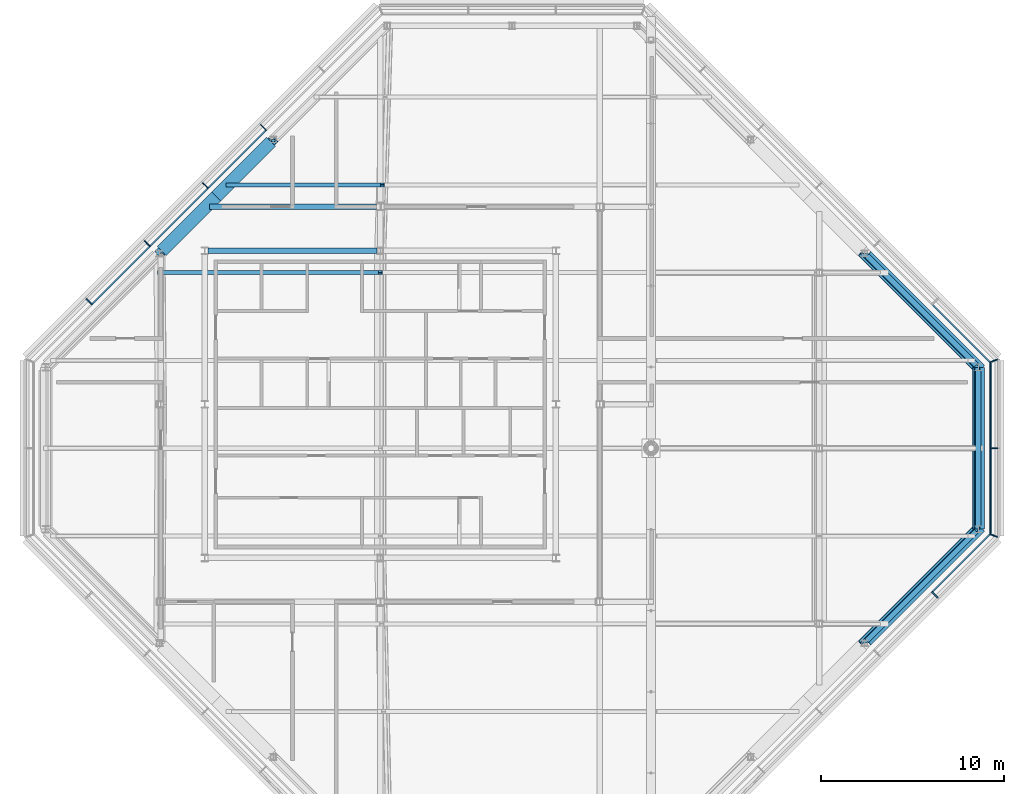
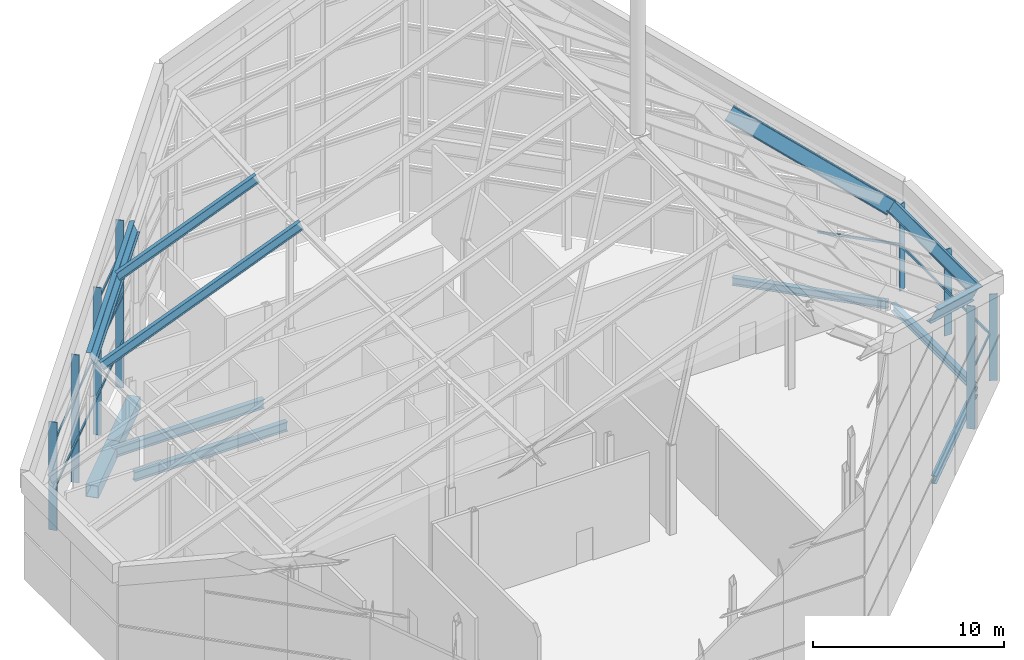
# One storey, part 8 of 21: 19 members, 13 beams, 4 elements without a shape of their own.
"""IFC4 building model written with IfcOpenShell, lengths in metres."""

from ifc_helpers import new_model, si_unit, direction, frame, origin, origin_2d, place, context, subcontext, project, spatial, rectangle, hollow_rectangle, i_section, extrude, material, material_profile, profile_set, type_object, element, aggregate, save


model = new_model("IFC4")

# Units and contexts
model_context = context("Model", 3, precision=1e-05, world=origin(), true_north=direction((0.0, 1.0)))
body_context = subcontext(model_context, "Body", "Model", "MODEL_VIEW")
ifc_project = project(units=[si_unit("LENGTHUNIT", "METRE"), si_unit("AREAUNIT", "SQUARE_METRE"), si_unit("VOLUMEUNIT", "CUBIC_METRE"), si_unit("PLANEANGLEUNIT", "RADIAN"), si_unit("MASSUNIT", "GRAM", prefix="KILO")], contexts=[model_context])

# Site, building, storey
site_placement = place(None, origin())
site = spatial("IfcSite", under=ifc_project, at=site_placement, CompositionType="ELEMENT")
building_placement = place(site_placement, origin())
building = spatial("IfcBuilding", under=site, at=building_placement, Name="Cairn Pilgrim Tower", CompositionType="ELEMENT")
storey_placement = place(building_placement, frame((0.0, 0.0, 295.800048828125)))
storey = spatial("IfcBuildingStorey", under=building, at=storey_placement, Name="L76", CompositionType="ELEMENT", Elevation=295.800048828125)

# Beams
ifc_material_1 = material(Name="Structural steel S355J2", Category="steel")
ifc_material_profile_1 = material_profile(ifc_material_1, hollow_rectangle(XDim=0.699951171875, YDim=0.800048828125, WallThickness=0.0400390625, at=origin_2d()), Name="BOX 700x800x40")
ifc_profile_set_1 = profile_set([ifc_material_profile_1], Name="Structural steel S355J2")
beam_type_1 = type_object("IfcBeamType", Name="BOX 700x800x40 RING GIRDER", PredefinedType="SPANDREL", material=ifc_profile_set_1)
for number, where, z_axis, x_axis, name in (
    (1, (1.22412109375, 16.751220703125, -0.60009765625), (-0.707135671578, -0.707077889614, 0.0), (0.707077889614, -0.707135671578, 0.0), "RG4-NW2-NW3-1"),
    (2, (-1.763671875, 13.763671875, -0.60009765625), (-0.707077889614, -0.707135671578, 0.0), (0.707135671578, -0.707077889614, 0.0), "RG4-NW2-NW3-2"),
):
    element("IfcBeam", number, at=place(storey_placement, frame(where, z_axis=z_axis, x_axis=x_axis)), inside=storey, type_object=beam_type_1, Name=name, PredefinedType="SPANDREL", context=body_context, shape_type="SweptSolid", body=[
        extrude(hollow_rectangle(XDim=0.699951171875, YDim=0.800048828125, WallThickness=0.0400390625, at=origin_2d()), origin(), (0.0, 0.0, 1.0), 4.22509765625),
    ])
ifc_material_profile_2 = material_profile(ifc_material_1, i_section(OverallWidth=0.300048828125, OverallDepth=0.699951171875, WebThickness=0.01708984375, FlangeThickness=0.031982421875, FilletRadius=0.027099609375, at=origin_2d()), Name="HEB 700")
ifc_profile_set_2 = profile_set([ifc_material_profile_2], Name="Structural steel S355J2")
beam_type_2 = type_object("IfcBeamType", Name="CROWN GIRDER HE 700 B", PredefinedType="BEAM", material=ifc_profile_set_2)
beam_1_placement = place(storey_placement, frame((39.89990234375, -4.42724609375, 5.845947265625), z_axis=(0.0, 1.0, 0.0), x_axis=(-0.812270883777, 0.0, 0.583280388293)))
element("IfcBeam", 3, at=beam_1_placement, inside=storey, type_object=beam_type_2, Name="CROWN GIRDER CG-HE700B", PredefinedType="BEAM", context=body_context, shape_type="SweptSolid", body=[
    extrude(i_section(OverallWidth=0.300048828125, OverallDepth=0.699951171875, WebThickness=0.01708984375, FlangeThickness=0.031982421875, FilletRadius=0.027099609375, at=origin_2d()), origin(), (0.0, 0.0, 1.0), 8.8544921875),
])
ifc_material_profile_3 = material_profile(ifc_material_1, i_section(OverallWidth=0.219970703125, OverallDepth=0.60009765625, WebThickness=0.011962890625, FlangeThickness=0.01904296875, FilletRadius=0.02392578125, at=origin_2d()), Name="IPE 600")
ifc_profile_set_3 = profile_set([ifc_material_profile_3], Name="Structural steel S355J2")
beam_type_3 = type_object("IfcBeamType", Name="CROWN RAFTER IPE 600", PredefinedType="BEAM", material=ifc_profile_set_3)
beam_2_placement = place(storey_placement, frame((-4.8662109375, 9.60009765625, 8.18701171875), z_axis=(0.929415269883, 0.0, 0.369035575667), x_axis=(0.0, 1.0, 0.0)))
element("IfcBeam", 4, at=beam_2_placement, inside=storey, type_object=beam_type_3, Name="CROWN RAFTER CR-IPE600", PredefinedType="BEAM", context=body_context, shape_type="SweptSolid", body=[
    extrude(i_section(OverallWidth=0.219970703125, OverallDepth=0.60009765625, WebThickness=0.011962890625, FlangeThickness=0.01904296875, FilletRadius=0.02392578125, at=origin_2d()), origin(), (0.0, 0.0, 1.0), 12.982421875),
])
beam_3_placement = place(storey_placement, frame((-1.127197265625, 14.39990234375, 9.671630859375), z_axis=(0.929419704844, 0.0, 0.369024406033), x_axis=(0.0, 1.0, 0.0)))
element("IfcBeam", 5, at=beam_3_placement, inside=storey, type_object=beam_type_3, Name="CROWN RAFTER CR-IPE600", PredefinedType="BEAM", context=body_context, shape_type="SweptSolid", body=[
    extrude(i_section(OverallWidth=0.219970703125, OverallDepth=0.60009765625, WebThickness=0.011962890625, FlangeThickness=0.01904296875, FilletRadius=0.02392578125, at=origin_2d()), origin(), (0.0, 0.0, 1.0), 9.076904296875),
])
ifc_material_profile_4 = material_profile(ifc_material_1, i_section(OverallWidth=0.300048828125, OverallDepth=0.89990234375, WebThickness=0.0185546875, FlangeThickness=0.034912109375, FilletRadius=0.030029296875, at=origin_2d()), Name="HEB 900")
ifc_profile_set_4 = profile_set([ifc_material_profile_4], Name="Structural steel S355J2")
beam_type_4 = type_object("IfcBeamType", Name="CROWN TRANSFER GIRDER HE 900 B", PredefinedType="BEAM", material=ifc_profile_set_4)
for number, where, z_axis, x_axis, name in (
    (6, (33.67578125, -10.651611328125, 10.1923828125), (0.630474858852, 0.630499589175, -0.452738026242), (-0.512141634405, 0.776189582499, 0.367750837291), "CROWN TRANSFER GIRDER CT-HE900B"),
    (7, (39.89990234375, 4.42724609375, 5.722900390625), (-0.630474858852, 0.630499589175, 0.452738026242), (-0.512141634405, -0.776189582499, 0.367750837291), "CROWN TRANSFER GIRDER CT-HE900B"),
):
    element("IfcBeam", number, at=place(storey_placement, frame(where, z_axis=z_axis, x_axis=x_axis)), inside=storey, type_object=beam_type_4, Name=name, PredefinedType="BEAM", context=body_context, shape_type="SweptSolid", body=[
        extrude(i_section(OverallWidth=0.300048828125, OverallDepth=0.89990234375, WebThickness=0.0185546875, FlangeThickness=0.034912109375, FilletRadius=0.030029296875, at=origin_2d()), origin(), (0.0, 0.0, 1.0), 9.8720703125),
    ])
beam_4_placement = place(storey_placement, frame((1.348388671875, 16.875732421875, 10.4931640625), z_axis=(-0.680781472594, -0.680781472594, -0.270320500787), x_axis=(0.632729303532, -0.732486577716, 0.251231052854)))
element("IfcBeam", 8, at=beam_4_placement, inside=storey, type_object=beam_type_4, Name="CROWN TRANSFER GIRDER CT-HE900B", PredefinedType="BEAM", context=body_context, shape_type="SweptSolid", body=[
    extrude(i_section(OverallWidth=0.300048828125, OverallDepth=0.89990234375, WebThickness=0.0185546875, FlangeThickness=0.034912109375, FilletRadius=0.030029296875, at=origin_2d()), origin(), (0.0, 0.0, 1.0), 9.142578125),
])

# Curtain wall, member
ifc_material_2 = material(Name="Aluminium alloy 6063-T6 bronze anodised with Bronze tinted laminated low-E glass 8+16+8.8", Category="aluminium")
curtain_wall_type = type_object("IfcCurtainWallType", Name="CROWN LOUVRE CURTAIN WALL", PredefinedType="NOTDEFINED", material=ifc_material_2)
curtain_wall_1_placement = place(storey_placement, origin())
curtain_wall_1 = element("IfcCurtainWall", 9, at=curtain_wall_1_placement, inside=storey, type_object=curtain_wall_type, Name="Crown Louvre Curtain Wall SE", PredefinedType="NOTDEFINED")
ifc_material_3 = material(Name="Aluminium alloy 6063-T6 bronze anodised", Category="aluminium")
ifc_material_profile_5 = material_profile(ifc_material_3, rectangle(XDim=0.449951171875, YDim=0.06005859375, at=origin_2d()), Name="FIN MULLION 60x450 BRONZE")
ifc_profile_set_5 = profile_set([ifc_material_profile_5], Name="Aluminium alloy 6063-T6 bronze anodised")
member_type_1 = type_object("IfcMemberType", Name="FIN MULLION 60x450 BRONZE", PredefinedType="MULLION", material=ifc_profile_set_5)
member_1_placement = place(storey_placement, frame((37.51220703125, -8.010009765625, 0.0), z_axis=(0.0, 0.0, 1.0), x_axis=(0.707106781187, -0.707106781187, 0.0)))
member_1 = element("IfcMember", 10, at=member_1_placement, type_object=member_type_1, Name="Fin mullion SE6", PredefinedType="MULLION", context=body_context, shape_type="SweptSolid", body=[
    extrude(rectangle(XDim=0.449951171875, YDim=0.06005859375, at=origin_2d()), origin(), (0.0, 0.0, 1.0), 7.862060546875),
])

# Curtain wall, members
curtain_wall_2_placement = place(storey_placement, origin())
curtain_wall_2 = element("IfcCurtainWall", 11, at=curtain_wall_2_placement, inside=storey, type_object=curtain_wall_type, Name="Crown Louvre Curtain Wall E", PredefinedType="NOTDEFINED")
member_2_placement = place(storey_placement, frame((40.730224609375, -4.77099609375, 0.0), z_axis=(0.0, 0.0, 1.0), x_axis=(0.923879532511, -0.382683432365, 0.0)))
member_2 = element("IfcMember", 12, at=member_2_placement, type_object=member_type_1, Name="Fin mullion E1", PredefinedType="MULLION", context=body_context, shape_type="SweptSolid", body=[
    extrude(rectangle(XDim=0.449951171875, YDim=0.06005859375, at=origin_2d()), origin(), (0.0, 0.0, 1.0), 5.523193359375),
])
member_3_placement = place(storey_placement, frame((40.7451171875, 0.0, 0.0), z_axis=(0.0, 0.0, 1.0), x_axis=(1.0, 0.0, 0.0)))
member_3 = element("IfcMember", 13, at=member_3_placement, type_object=member_type_1, Name="Fin mullion E2", PredefinedType="MULLION", context=body_context, shape_type="SweptSolid", body=[
    extrude(rectangle(XDim=0.449951171875, YDim=0.06005859375, at=origin_2d()), origin(), (0.0, 0.0, 1.0), 5.508544921875),
])

# Curtain wall, member
curtain_wall_3_placement = place(storey_placement, origin())
curtain_wall_3 = element("IfcCurtainWall", 14, at=curtain_wall_3_placement, inside=storey, type_object=curtain_wall_type, Name="Crown Louvre Curtain Wall NE", PredefinedType="NOTDEFINED")
member_4_placement = place(storey_placement, frame((40.730224609375, 4.77099609375, 0.0), z_axis=(0.0, 0.0, 1.0), x_axis=(0.923879532511, 0.382683432365, 0.0)))
member_4 = element("IfcMember", 15, at=member_4_placement, type_object=member_type_1, Name="Fin mullion NE1", PredefinedType="MULLION", context=body_context, shape_type="SweptSolid", body=[
    extrude(rectangle(XDim=0.449951171875, YDim=0.06005859375, at=origin_2d()), origin(), (0.0, 0.0, 1.0), 5.523193359375),
])

# Curtain wall, members
curtain_wall_4_placement = place(storey_placement, origin())
curtain_wall_4 = element("IfcCurtainWall", 16, at=curtain_wall_4_placement, inside=storey, type_object=curtain_wall_type, Name="Crown Louvre Curtain Wall NW", PredefinedType="NOTDEFINED")
member_5_placement = place(storey_placement, frame((0.814453125, 17.53662109375, 0.0), z_axis=(0.0, 0.0, 1.0), x_axis=(-0.707106781187, 0.707106781187, 0.0)))
member_5 = element("IfcMember", 17, at=member_5_placement, type_object=member_type_1, Name="Fin mullion NW3", PredefinedType="MULLION", context=body_context, shape_type="SweptSolid", body=[
    extrude(rectangle(XDim=0.449951171875, YDim=0.06005859375, at=origin_2d()), origin(), (0.0, 0.0, 1.0), 10.693603515625),
])
member_6_placement = place(storey_placement, frame((-2.361083984375, 14.361083984375, 0.0), z_axis=(0.0, 0.0, 1.0), x_axis=(-0.707106781187, 0.707106781187, 0.0)))
member_6 = element("IfcMember", 18, at=member_6_placement, type_object=member_type_1, Name="Fin mullion NW4", PredefinedType="MULLION", context=body_context, shape_type="SweptSolid", body=[
    extrude(rectangle(XDim=0.449951171875, YDim=0.06005859375, at=origin_2d()), origin(), (0.0, 0.0, 1.0), 9.432861328125),
])
member_7_placement = place(storey_placement, frame((-5.53662109375, 11.185546875, 0.0), z_axis=(0.0, 0.0, 1.0), x_axis=(-0.707106781187, 0.707106781187, 0.0)))
member_7 = element("IfcMember", 19, at=member_7_placement, type_object=member_type_1, Name="Fin mullion NW5", PredefinedType="MULLION", context=body_context, shape_type="SweptSolid", body=[
    extrude(rectangle(XDim=0.449951171875, YDim=0.06005859375, at=origin_2d()), origin(), (0.0, 0.0, 1.0), 8.171875),
])
member_8_placement = place(storey_placement, frame((-8.71240234375, 8.010009765625, 0.0), z_axis=(0.0, 0.0, 1.0), x_axis=(-0.707106781187, 0.707106781187, 0.0)))
member_8 = element("IfcMember", 20, at=member_8_placement, type_object=member_type_1, Name="Fin mullion NW6", PredefinedType="MULLION", context=body_context, shape_type="SweptSolid", body=[
    extrude(rectangle(XDim=0.449951171875, YDim=0.06005859375, at=origin_2d()), origin(), (0.0, 0.0, 1.0), 6.910888671875),
])

# Beams
ifc_material_profile_6 = material_profile(ifc_material_1, i_section(OverallWidth=0.300048828125, OverallDepth=0.5, WebThickness=0.014404296875, FlangeThickness=0.028076171875, FilletRadius=0.027099609375, at=origin_2d()), Name="HEB 500")
ifc_profile_set_6 = profile_set([ifc_material_profile_6], Name="Structural steel S355J2")
beam_type_5 = type_object("IfcBeamType", Name="HEB 500 RING GIRDER", PredefinedType="SPANDREL", material=ifc_profile_set_6)
beam_5_placement = place(storey_placement, frame((33.80029296875, -10.527099609375, -0.449951171875), z_axis=(0.707092335843, 0.707121226235, 0.0), x_axis=(-0.707121226235, 0.707092335843, 0.0)))
element("IfcBeam", 21, at=beam_5_placement, inside=storey, type_object=beam_type_5, Name="RG4-SE3-E1", PredefinedType="SPANDREL", context=body_context, shape_type="SweptSolid", body=[
    extrude(i_section(OverallWidth=0.300048828125, OverallDepth=0.5, WebThickness=0.014404296875, FlangeThickness=0.028076171875, FilletRadius=0.027099609375, at=origin_2d()), origin(), (0.0, 0.0, 1.0), 8.45068359375),
])
beam_6_placement = place(storey_placement, frame((39.89990234375, -4.251220703125, -0.449951171875), z_axis=(0.0, 1.0, 0.0), x_axis=(-1.0, 0.0, 0.0)))
element("IfcBeam", 22, at=beam_6_placement, inside=storey, type_object=beam_type_5, Name="RG4-E1-NE1", PredefinedType="SPANDREL", context=body_context, shape_type="SweptSolid", body=[
    extrude(i_section(OverallWidth=0.300048828125, OverallDepth=0.5, WebThickness=0.014404296875, FlangeThickness=0.028076171875, FilletRadius=0.027099609375, at=origin_2d()), origin(), (0.0, 0.0, 1.0), 8.50244140625),
])
beam_7_placement = place(storey_placement, frame((39.775634765625, 4.551513671875, -0.449951171875), z_axis=(-0.707092335843, 0.707121226235, 0.0), x_axis=(-0.707121226235, -0.707092335843, 0.0)))
element("IfcBeam", 23, at=beam_7_placement, inside=storey, type_object=beam_type_5, Name="RG4-NE1-NE2", PredefinedType="SPANDREL", context=body_context, shape_type="SweptSolid", body=[
    extrude(i_section(OverallWidth=0.300048828125, OverallDepth=0.5, WebThickness=0.014404296875, FlangeThickness=0.028076171875, FilletRadius=0.027099609375, at=origin_2d()), origin(), (0.0, 0.0, 1.0), 8.45068359375),
])
ifc_material_profile_7 = material_profile(ifc_material_1, i_section(OverallWidth=0.300048828125, OverallDepth=0.60009765625, WebThickness=0.015380859375, FlangeThickness=0.030029296875, FilletRadius=0.027099609375, at=origin_2d()), Name="HEB 600")
ifc_profile_set_7 = profile_set([ifc_material_profile_7], Name="Structural steel S355J2")
beam_type_6 = type_object("IfcBeamType", Name="HEB 600 CORE BEAM", PredefinedType="BEAM", material=ifc_profile_set_7)
beam_8_placement = place(storey_placement, frame((7.02099609375, 10.800048828125, -0.5), z_axis=(-1.0, 0.0, 0.0), x_axis=(0.0, -1.0, 0.0)))
element("IfcBeam", 24, at=beam_8_placement, inside=storey, type_object=beam_type_6, Name="CB-6", PredefinedType="BEAM", context=body_context, shape_type="SweptSolid", body=[
    extrude(i_section(OverallWidth=0.300048828125, OverallDepth=0.60009765625, WebThickness=0.015380859375, FlangeThickness=0.030029296875, FilletRadius=0.027099609375, at=origin_2d()), origin(), (0.0, 0.0, 1.0), 9.241943359375),
])
ifc_material_profile_8 = material_profile(ifc_material_1, i_section(OverallWidth=0.300048828125, OverallDepth=0.60009765625, WebThickness=0.015380859375, FlangeThickness=0.030029296875, FilletRadius=0.027099609375, at=origin_2d()), Name="HEB 600")
ifc_profile_set_8 = profile_set([ifc_material_profile_8], Name="Structural steel S355J2")
beam_type_7 = type_object("IfcBeamType", Name="HEB 600 INNER GIRDER", PredefinedType="BEAM", material=ifc_profile_set_8)
beam_9_placement = place(storey_placement, frame((-2.14501953125, 13.199951171875, -0.5), z_axis=(1.0, 0.0, 0.0), x_axis=(0.0, 1.0, 0.0)))
element("IfcBeam", 25, at=beam_9_placement, inside=storey, type_object=beam_type_7, Name="IG2-1", PredefinedType="BEAM", context=body_context, shape_type="SweptSolid", body=[
    extrude(i_section(OverallWidth=0.300048828125, OverallDepth=0.60009765625, WebThickness=0.015380859375, FlangeThickness=0.030029296875, FilletRadius=0.027099609375, at=origin_2d()), origin(), (0.0, 0.0, 1.0), 9.14794921875),
])

# Member
ifc_material_profile_9 = material_profile(ifc_material_3, rectangle(XDim=0.080078125, YDim=0.14990234375, at=origin_2d()), Name="TRANSOM 80x150 BRONZE")
ifc_profile_set_9 = profile_set([ifc_material_profile_9], Name="Aluminium alloy 6063-T6 bronze anodised")
member_type_2 = type_object("IfcMemberType", Name="TRANSOM 80x150 BRONZE", PredefinedType="USERDEFINED", material=ifc_profile_set_9)
member_9_placement = place(storey_placement, frame((37.3955078125, -7.850830078125, 3.0), z_axis=(0.707106781187, 0.707106781187, 0.0), x_axis=(-0.707106781187, 0.707106781187, 0.0)))
member_9 = element("IfcMember", 26, at=member_9_placement, type_object=member_type_2, Name="Transom SE6", ObjectType="TRANSOM", PredefinedType="USERDEFINED", context=body_context, shape_type="SweptSolid", body=[
    extrude(rectangle(XDim=0.080078125, YDim=0.14990234375, at=origin_2d()), origin(), (0.0, 0.0, 1.0), 4.421142578125),
])

aggregate(curtain_wall_1, [member_1, member_9])

member_10_placement = place(storey_placement, frame((40.550048828125, -4.656494140625, 3.0), z_axis=(0.0, 1.0, 0.0), x_axis=(-1.0, 0.0, 0.0)))
member_10 = element("IfcMember", 27, at=member_10_placement, type_object=member_type_2, Name="Transom E1", ObjectType="TRANSOM", PredefinedType="USERDEFINED", context=body_context, shape_type="SweptSolid", body=[
    extrude(rectangle(XDim=0.080078125, YDim=0.14990234375, at=origin_2d()), origin(), (0.0, 0.0, 1.0), 4.62646484375),
])

member_11_placement = place(storey_placement, frame((40.550048828125, 0.030029296875, 3.0), z_axis=(0.0, 1.0, 0.0), x_axis=(-1.0, 0.0, 0.0)))
member_11 = element("IfcMember", 28, at=member_11_placement, type_object=member_type_2, Name="Transom E2", ObjectType="TRANSOM", PredefinedType="USERDEFINED", context=body_context, shape_type="SweptSolid", body=[
    extrude(rectangle(XDim=0.080078125, YDim=0.14990234375, at=origin_2d()), origin(), (0.0, 0.0, 1.0), 4.62646484375),
])

aggregate(curtain_wall_2, [member_2, member_3, member_10, member_11])

member_12_placement = place(storey_placement, frame((40.521728515625, 4.724609375, 3.0), z_axis=(-0.707106781187, 0.707106781187, 0.0), x_axis=(-0.707106781187, -0.707106781187, 0.0)))
member_12 = element("IfcMember", 29, at=member_12_placement, type_object=member_type_2, Name="Transom NE1", ObjectType="TRANSOM", PredefinedType="USERDEFINED", context=body_context, shape_type="SweptSolid", body=[
    extrude(rectangle(XDim=0.080078125, YDim=0.14990234375, at=origin_2d()), origin(), (0.0, 0.0, 1.0), 4.421142578125),
])

aggregate(curtain_wall_3, [member_4, member_12])

member_13_placement = place(storey_placement, frame((0.93115234375, 17.377685546875, 3.0), z_axis=(-0.707079231393, -0.707134329907, 0.0), x_axis=(0.707134329907, -0.707079231393, 0.0)))
member_13 = element("IfcMember", 30, at=member_13_placement, type_object=member_type_2, Name="Transom NW3", ObjectType="TRANSOM", PredefinedType="USERDEFINED", context=body_context, shape_type="SweptSolid", body=[
    extrude(rectangle(XDim=0.080078125, YDim=0.14990234375, at=origin_2d()), origin(), (0.0, 0.0, 1.0), 4.430908203125),
])

member_14_placement = place(storey_placement, frame((0.93115234375, 17.377685546875, 6.0), z_axis=(-0.707079231393, -0.707134329907, 0.0), x_axis=(0.707134329907, -0.707079231393, 0.0)))
member_14 = element("IfcMember", 31, at=member_14_placement, type_object=member_type_2, Name="Transom NW3", ObjectType="TRANSOM", PredefinedType="USERDEFINED", context=body_context, shape_type="SweptSolid", body=[
    extrude(rectangle(XDim=0.080078125, YDim=0.14990234375, at=origin_2d()), origin(), (0.0, 0.0, 1.0), 4.430908203125),
])

member_15_placement = place(storey_placement, frame((0.93115234375, 17.377685546875, 9.0), z_axis=(-0.707079231393, -0.707134329907, 0.0), x_axis=(0.707134329907, -0.707079231393, 0.0)))
member_15 = element("IfcMember", 32, at=member_15_placement, type_object=member_type_2, Name="Transom NW3", ObjectType="TRANSOM", PredefinedType="USERDEFINED", context=body_context, shape_type="SweptSolid", body=[
    extrude(rectangle(XDim=0.080078125, YDim=0.14990234375, at=origin_2d()), origin(), (0.0, 0.0, 1.0), 4.430908203125),
])

member_16_placement = place(storey_placement, frame((-2.244384765625, 14.201904296875, 3.0), z_axis=(-0.707134329907, -0.707079231393, 0.0), x_axis=(0.707079231393, -0.707134329907, 0.0)))
member_16 = element("IfcMember", 33, at=member_16_placement, type_object=member_type_2, Name="Transom NW4", ObjectType="TRANSOM", PredefinedType="USERDEFINED", context=body_context, shape_type="SweptSolid", body=[
    extrude(rectangle(XDim=0.080078125, YDim=0.14990234375, at=origin_2d()), origin(), (0.0, 0.0, 1.0), 4.430908203125),
])

member_17_placement = place(storey_placement, frame((-2.244384765625, 14.201904296875, 6.0), z_axis=(-0.707134329907, -0.707079231393, 0.0), x_axis=(0.707079231393, -0.707134329907, 0.0)))
member_17 = element("IfcMember", 34, at=member_17_placement, type_object=member_type_2, Name="Transom NW4", ObjectType="TRANSOM", PredefinedType="USERDEFINED", context=body_context, shape_type="SweptSolid", body=[
    extrude(rectangle(XDim=0.080078125, YDim=0.14990234375, at=origin_2d()), origin(), (0.0, 0.0, 1.0), 4.430908203125),
])

member_18_placement = place(storey_placement, frame((-5.419921875, 11.0263671875, 3.0), z_axis=(-0.707134329907, -0.707079231393, 0.0), x_axis=(0.707079231393, -0.707134329907, 0.0)))
member_18 = element("IfcMember", 35, at=member_18_placement, type_object=member_type_2, Name="Transom NW5", ObjectType="TRANSOM", PredefinedType="USERDEFINED", context=body_context, shape_type="SweptSolid", body=[
    extrude(rectangle(XDim=0.080078125, YDim=0.14990234375, at=origin_2d()), origin(), (0.0, 0.0, 1.0), 4.430908203125),
])

member_19_placement = place(storey_placement, frame((-5.419921875, 11.0263671875, 6.0), z_axis=(-0.707134329907, -0.707079231393, 0.0), x_axis=(0.707079231393, -0.707134329907, 0.0)))
member_19 = element("IfcMember", 36, at=member_19_placement, type_object=member_type_2, Name="Transom NW5", ObjectType="TRANSOM", PredefinedType="USERDEFINED", context=body_context, shape_type="SweptSolid", body=[
    extrude(rectangle(XDim=0.080078125, YDim=0.14990234375, at=origin_2d()), origin(), (0.0, 0.0, 1.0), 4.430908203125),
])

aggregate(curtain_wall_4, [member_5, member_6, member_7, member_8, member_13, member_14, member_15, member_16, member_17, member_18, member_19])

save(model, "model.ifc")
